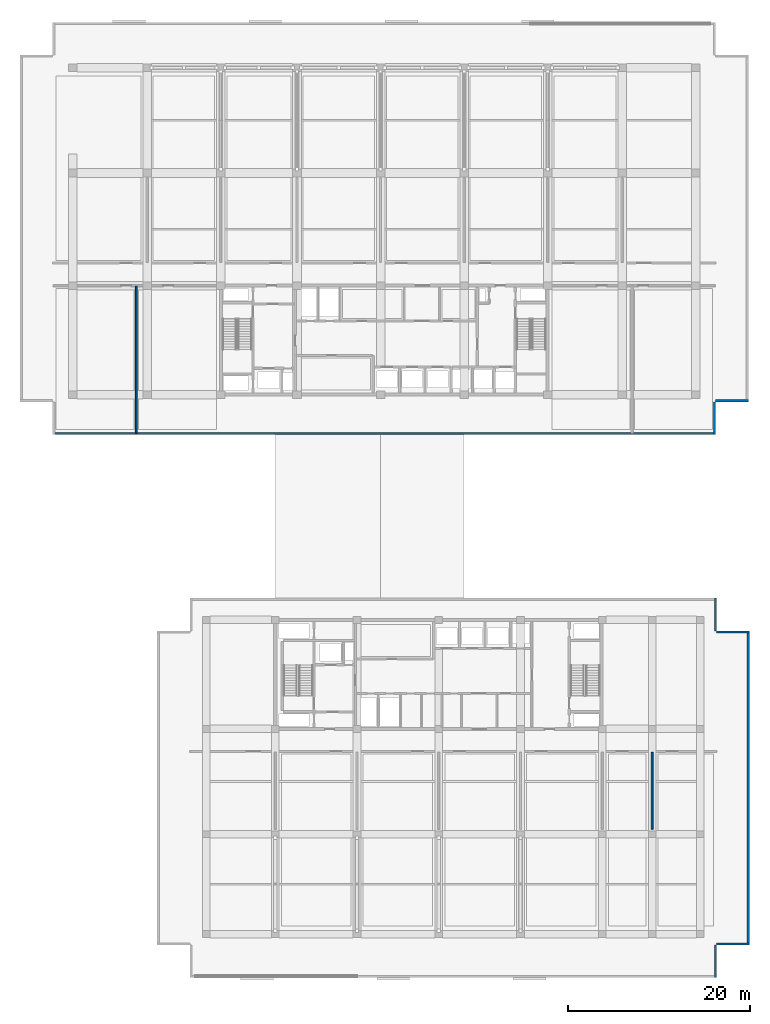
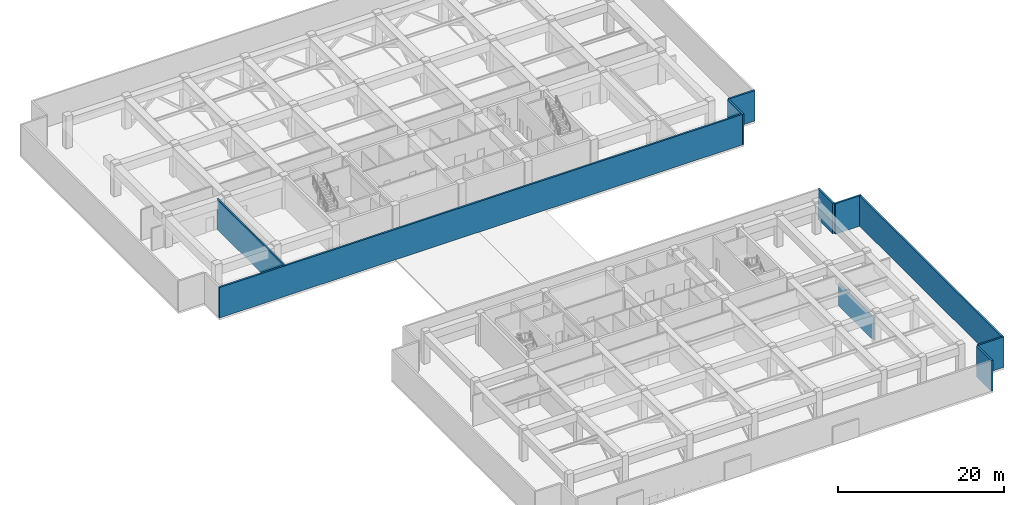
# One storey, part 10 of 22: 10 walls.
"""IFC4 building model written with IfcOpenShell, lengths in metres."""

from ifc_helpers import new_model, si_unit, direction, frame, frame_2d, origin, place, context, subcontext, project, spatial, rectangle, extrude, material, layer, layer_set, type_object, element, save


model = new_model("IFC4")

# Units and contexts
model_context = context("Model", 3, precision=1e-05, world=origin(), true_north=direction((0.0, 1.0)))
body_context = subcontext(model_context, "Body", "Model", "MODEL_VIEW")
ifc_project = project(units=[si_unit("LENGTHUNIT", "METRE"), si_unit("AREAUNIT", "SQUARE_METRE"), si_unit("VOLUMEUNIT", "CUBIC_METRE"), si_unit("PLANEANGLEUNIT", "RADIAN"), si_unit("MASSUNIT", "GRAM", prefix="KILO")], contexts=[model_context])

# Site, building, storey
site_placement = place(None, origin())
site = spatial("IfcSite", under=ifc_project, at=site_placement, CompositionType="ELEMENT")
building_placement = place(site_placement, origin())
building = spatial("IfcBuilding", under=site, at=building_placement, Name="Korimba Cascade Residences", CompositionType="ELEMENT")
storey_placement = place(building_placement, frame((0.0, 0.0, 157.300048828125)))
storey = spatial("IfcBuildingStorey", under=building, at=storey_placement, Name="L45", CompositionType="ELEMENT", Elevation=157.300048828125)

# Walls
ifc_material_1 = material(Name="Precast concrete C40/50", Category="concrete")
ifc_layer_1 = layer(ifc_material_1, 0.25)
ifc_layer_set_1 = layer_set([ifc_layer_1], Name="Precast concrete C40/50")
wall_type_1 = type_object("IfcWallType", Name="EW-PLNT-250", PredefinedType="SHEAR", material=ifc_layer_set_1)
wall_1_placement = place(storey_placement, frame((57.60009765625, 50.925048828125, 0.0), z_axis=(0.0, 0.0, 1.0), x_axis=(1.0, 0.0, 0.0)))
element("IfcWall", 1, at=wall_1_placement, inside=storey, type_object=wall_type_1, Name="L45 T1 Perimeter Stone Wall E00", PredefinedType="SHEAR", context=body_context, shape_type="SweptSolid", body=[
    extrude(rectangle(XDim=73.0, YDim=0.25, at=frame_2d((36.5, 0.0))), origin(), (0.0, 0.0, 1.0), 4.47998046875),
])
for number, where, z_axis, x_axis, name in (
    (2, (130.47509765625, 50.800048828125, 0.0), (0.0, 0.0, 1.0), (0.0, 1.0, 0.0), "L45 T1 Perimeter Stone Wall E01"),
    (3, (130.60009765625, 54.52490234375, 0.0), (0.0, 0.0, 1.0), (1.0, 0.0, 0.0), "L45 T1 Perimeter Stone Wall E02"),
):
    element("IfcWall", number, at=place(storey_placement, frame(where, z_axis=z_axis, x_axis=x_axis)), inside=storey, type_object=wall_type_1, Name=name, PredefinedType="SHEAR", context=body_context, shape_type="SweptSolid", body=[
        extrude(rectangle(XDim=3.599853515625, YDim=0.25, at=frame_2d((1.7998046875, 0.0))), origin(), (0.0, 0.0, 1.0), 4.47998046875),
    ])
for number, where, z_axis, x_axis, name in (
    (4, (130.574951171875, -9.0, 0.0), (0.0, 0.0, 1.0), (0.0, 1.0, 0.0), "L45 T2 Perimeter Stone Wall E01"),
    (5, (130.699951171875, -5.27490234375, 0.0), (0.0, 0.0, 1.0), (1.0, 0.0, 0.0), "L45 T2 Perimeter Stone Wall E02"),
):
    element("IfcWall", number, at=place(storey_placement, frame(where, z_axis=z_axis, x_axis=x_axis)), inside=storey, type_object=wall_type_1, Name=name, PredefinedType="SHEAR", context=body_context, shape_type="SweptSolid", body=[
        extrude(rectangle(XDim=3.60009765625, YDim=0.25, at=frame_2d((1.800048828125, 0.0))), origin(), (0.0, 0.0, 1.0), 4.47998046875),
    ])
wall_2_placement = place(storey_placement, frame((134.175048828125, -5.39990234375, 0.0), z_axis=(0.0, 0.0, 1.0), x_axis=(0.0, 1.0, 0.0)))
element("IfcWall", 6, at=wall_2_placement, inside=storey, type_object=wall_type_1, Name="L45 T2 Perimeter Stone Wall E03", PredefinedType="SHEAR", context=body_context, shape_type="SweptSolid", body=[
    extrude(rectangle(XDim=34.599853515625, YDim=0.25, at=frame_2d((17.2998046875, 0.0))), origin(), (0.0, 0.0, 1.0), 4.47998046875),
])
for number, where, z_axis, x_axis, name in (
    (7, (134.300048828125, 29.074951171875, 0.0), (0.0, 0.0, 1.0), (-1.0, 0.0, 0.0), "L45 T2 Perimeter Stone Wall E04"),
    (8, (130.574951171875, 29.199951171875, 0.0), (0.0, 0.0, 1.0), (0.0, 1.0, 0.0), "L45 T2 Perimeter Stone Wall E05"),
):
    element("IfcWall", number, at=place(storey_placement, frame(where, z_axis=z_axis, x_axis=x_axis)), inside=storey, type_object=wall_type_1, Name=name, PredefinedType="SHEAR", context=body_context, shape_type="SweptSolid", body=[
        extrude(rectangle(XDim=3.60009765625, YDim=0.25, at=frame_2d((1.800048828125, 0.0))), origin(), (0.0, 0.0, 1.0), 4.47998046875),
    ])
ifc_material_2 = material(Name="Concrete C40/50", Category="concrete")
ifc_layer_2 = layer(ifc_material_2, 0.199951171875)
ifc_layer_set_2 = layer_set([ifc_layer_2], Name="Concrete C40/50")
wall_type_2 = type_object("IfcWallType", Name="WAL-PART-200", PredefinedType="PARTITIONING", material=ifc_layer_set_2)
wall_3_placement = place(storey_placement, frame((66.800048828125, 50.949951171875, 0.0), z_axis=(0.0, 0.0, 1.0), x_axis=(0.0, 1.0, 0.0)))
element("IfcWall", 9, at=wall_3_placement, inside=storey, type_object=wall_type_2, Name="L45 Partition Wall WAL-L45-T1-RWWV", PredefinedType="PARTITIONING", context=body_context, shape_type="SweptSolid", body=[
    extrude(rectangle(XDim=16.199951171875, YDim=0.199951171875, at=frame_2d((8.10009765625, 0.0))), origin(), (0.0, 0.0, 1.0), 4.47998046875),
])
wall_4_placement = place(storey_placement, frame((123.60009765625, 7.35009765625, 0.0), z_axis=(0.0, 0.0, 1.0), x_axis=(0.0, 1.0, 0.0)))
element("IfcWall", 10, at=wall_4_placement, inside=storey, type_object=wall_type_2, Name="L45 Partition Wall WAL-L45-T2-PD6", PredefinedType="PARTITIONING", context=body_context, shape_type="SweptSolid", body=[
    extrude(rectangle(XDim=8.449951171875, YDim=0.199951171875, at=frame_2d((4.22509765625, 0.0))), origin(), (0.0, 0.0, 1.0), 3.329833984375),
])

save(model, "model.ifc")
